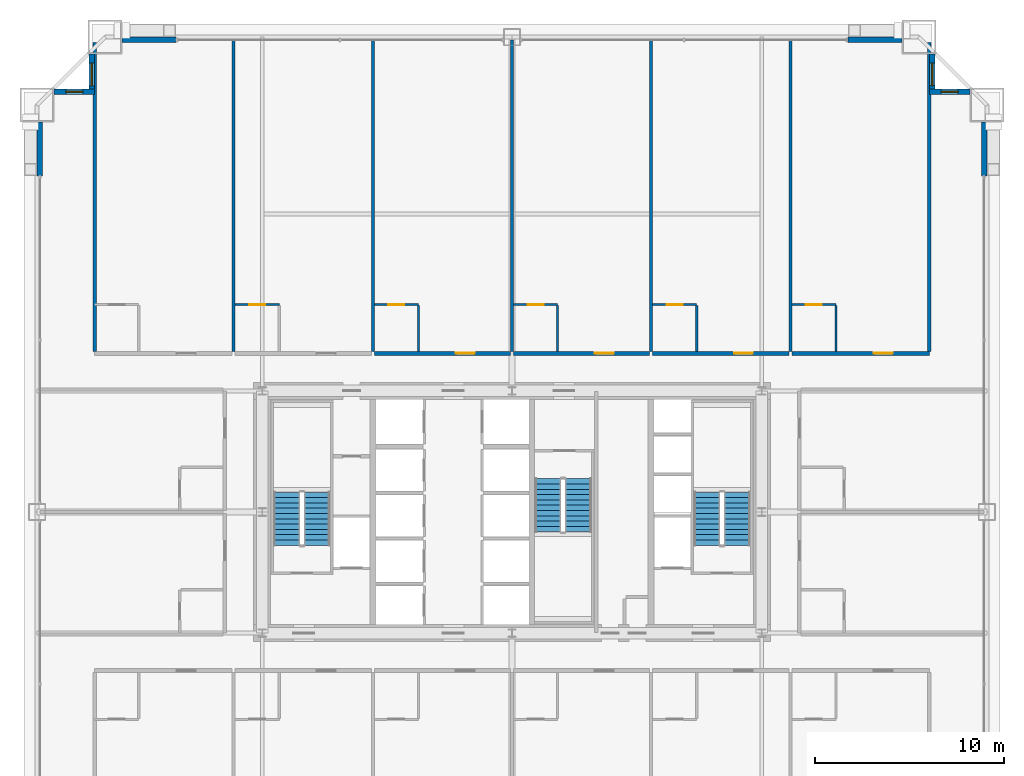
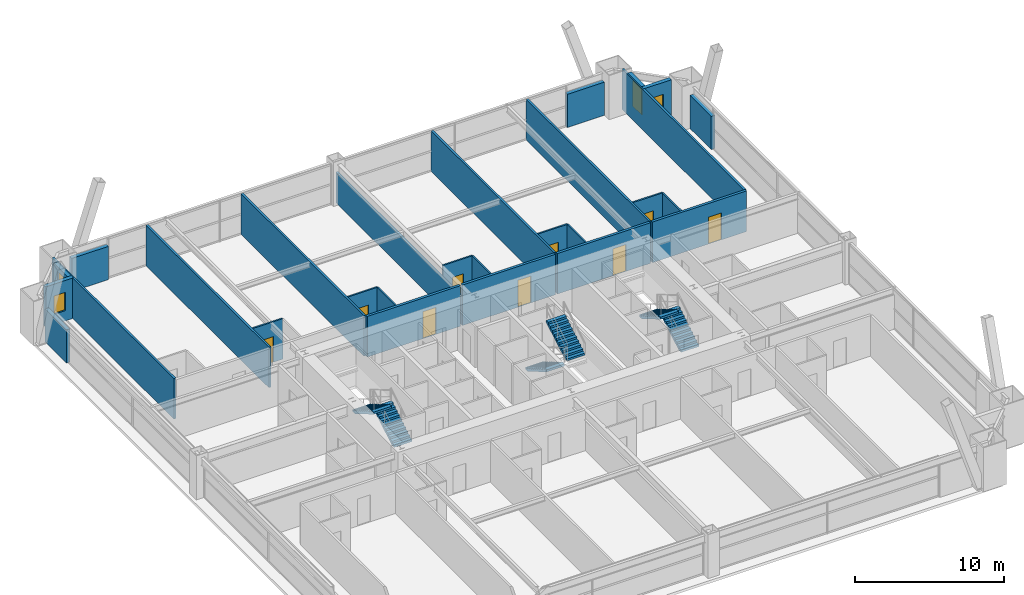
# One storey, part 42 of 43: 28 walls, 9 doors, 6 stair flights, 4 windows, 13 openings, 3 elements without a shape of their own.
"""IFC4 building model written with IfcOpenShell, lengths in metres."""

from ifc_helpers import new_model, si_unit, direction, frame, frame_2d, origin, place, context, subcontext, project, spatial, polyline, rectangle, outline, extrude, source, transform, mapped, material, layer, layer_set, type_object, element, fill, aggregate, save


model = new_model("IFC4")

# Units and contexts
model_context = context("Model", 3, precision=1e-05, world=origin(), true_north=direction((0.0, 1.0)))
body_context = subcontext(model_context, "Body", "Model", "MODEL_VIEW")
ifc_project = project(units=[si_unit("LENGTHUNIT", "METRE"), si_unit("AREAUNIT", "SQUARE_METRE"), si_unit("VOLUMEUNIT", "CUBIC_METRE"), si_unit("PLANEANGLEUNIT", "RADIAN"), si_unit("MASSUNIT", "GRAM", prefix="KILO"), si_unit("THERMODYNAMICTEMPERATUREUNIT", "KELVIN"), si_unit("POWERUNIT", "WATT")], contexts=[model_context])

# Site, building, storey
site_placement = place(None, origin())
site = spatial("IfcSite", under=ifc_project, at=site_placement, CompositionType="ELEMENT")
building_placement = place(site_placement, origin())
building = spatial("IfcBuilding", under=site, at=building_placement, Name="Yuzanri Waterfront Tower", CompositionType="ELEMENT")
storey_placement = place(building_placement, frame((0.0, 0.0, 37.800048828125)))
storey = spatial("IfcBuildingStorey", under=building, at=storey_placement, Name="L09", CompositionType="ELEMENT", Elevation=37.800048828125)

# Wall, opening, door
ifc_material_1 = material(Name="Moisture-Resistant Gypsum Stud Wall", Category="gypsum")
ifc_layer_1 = layer(ifc_material_1, 0.1201171875)
ifc_layer_set_1 = layer_set([ifc_layer_1], Name="Moisture-Resistant Gypsum Stud Wall")
wall_type_1 = type_object("IfcWallType", Name="Bathroom and Kitchen Wet Partition 120", PredefinedType="PARTITIONING", material=ifc_layer_set_1)
wall_1_placement = place(storey_placement, frame((22.373046875, 36.760009765625, 0.0), z_axis=(0.0, 0.0, 1.0), x_axis=(1.0, 0.0, 0.0)))
wall_1 = element("IfcWall", 1, at=wall_1_placement, inside=storey, type_object=wall_type_1, Name="L09 Partition UW-L09-N2-BN", PredefinedType="PARTITIONING", context=body_context, shape_type="SweptSolid", body=[
    extrude(rectangle(XDim=2.329833984375, YDim=0.1201171875, at=frame_2d((1.1650390625, 0.0))), origin(), (0.0, 0.0, 1.0), 3.320068359375),
])
opening_1_placement = place(wall_1_placement, frame((0.739990234375, 0.0, 0.0)))
opening_1 = element("IfcOpeningElement", 2, at=opening_1_placement, cuts=wall_1, Name="Opening ID-0850", PredefinedType="OPENING", context=body_context, shape_type="SweptSolid", body=[
    extrude(rectangle(XDim=0.85009765625, YDim=2.10009765625, at=frame_2d((0.425048828125, 1.050048828125))), frame((0.0, 0.074951171875, 0.0), z_axis=(0.0, -1.0, 0.0), x_axis=(1.0, 0.0, 0.0)), (0.0, 0.0, 1.0), 0.14990234375),
])
ifc_material_2 = material(Name="Moisture-Resistant Lacquered Timber", Category="wood")
door_type_1 = type_object("IfcDoorType", Name="En-Suite Bathroom and Kitchen Swing Door 850x2100", OperationType="NOTDEFINED", PredefinedType="DOOR", material=ifc_material_2)
shared_shape_1 = source(origin(), body_context, "Body", "SweptSolid", [
    extrude(rectangle(XDim=0.85009765625, YDim=2.10009765625, at=frame_2d((0.425048828125, 1.050048828125))), frame((0.0, 0.02490234375, 0.0), z_axis=(0.0, -1.0, 0.0), x_axis=(1.0, 0.0, 0.0)), (0.0, 0.0, 1.0), 0.050048828125),
])
door_1_placement = place(opening_1_placement, origin())
door_1 = element("IfcDoor", 3, at=door_1_placement, inside=storey, type_object=door_type_1, Name="L09 Guest En-Suite Door", OperationType="SINGLE_SWING_LEFT", OverallHeight=2.10009765625, OverallWidth=0.85009765625, PredefinedType="DOOR", context=body_context, shape_type="MappedRepresentation", body=[
    mapped(shared_shape_1, transform((0.0, 0.0, 0.0), scale=1.0)),
])
fill(opening_1, door_1)

wall_2_placement = place(storey_placement, frame((29.72705078125, 36.760009765625, 0.0), z_axis=(0.0, 0.0, 1.0), x_axis=(1.0, 0.0, 0.0)))
wall_2 = element("IfcWall", 4, at=wall_2_placement, inside=storey, type_object=wall_type_1, Name="L09 Partition UW-L09-N3-BN", PredefinedType="PARTITIONING", context=body_context, shape_type="SweptSolid", body=[
    extrude(rectangle(XDim=2.329833984375, YDim=0.1201171875, at=frame_2d((1.1650390625, 0.0))), origin(), (0.0, 0.0, 1.0), 3.320068359375),
])
opening_2_placement = place(wall_2_placement, frame((0.739990234375, 0.0, 0.0)))
opening_2 = element("IfcOpeningElement", 5, at=opening_2_placement, cuts=wall_2, Name="Opening ID-0850", PredefinedType="OPENING", context=body_context, shape_type="SweptSolid", body=[
    extrude(rectangle(XDim=0.85009765625, YDim=2.10009765625, at=frame_2d((0.425048828125, 1.050048828125))), frame((0.0, 0.074951171875, 0.0), z_axis=(0.0, -1.0, 0.0), x_axis=(1.0, 0.0, 0.0)), (0.0, 0.0, 1.0), 0.14990234375),
])
door_2_placement = place(opening_2_placement, origin())
door_2 = element("IfcDoor", 6, at=door_2_placement, inside=storey, type_object=door_type_1, Name="L09 Guest En-Suite Door", OperationType="SINGLE_SWING_LEFT", OverallHeight=2.10009765625, OverallWidth=0.85009765625, PredefinedType="DOOR", context=body_context, shape_type="MappedRepresentation", body=[
    mapped(shared_shape_1, transform((0.0, 0.0, 0.0), scale=1.0)),
])
fill(opening_2, door_2)

wall_3_placement = place(storey_placement, frame((37.080078125, 36.760009765625, 0.0), z_axis=(0.0, 0.0, 1.0), x_axis=(1.0, 0.0, 0.0)))
wall_3 = element("IfcWall", 7, at=wall_3_placement, inside=storey, type_object=wall_type_1, Name="L09 Partition UW-L09-N4-BN", PredefinedType="PARTITIONING", context=body_context, shape_type="SweptSolid", body=[
    extrude(rectangle(XDim=2.329833984375, YDim=0.1201171875, at=frame_2d((1.1650390625, 0.0))), origin(), (0.0, 0.0, 1.0), 3.320068359375),
])
opening_3_placement = place(wall_3_placement, frame((0.739990234375, 0.0, 0.0)))
opening_3 = element("IfcOpeningElement", 8, at=opening_3_placement, cuts=wall_3, Name="Opening ID-0850", PredefinedType="OPENING", context=body_context, shape_type="SweptSolid", body=[
    extrude(rectangle(XDim=0.85009765625, YDim=2.10009765625, at=frame_2d((0.425048828125, 1.050048828125))), frame((0.0, 0.074951171875, 0.0), z_axis=(0.0, -1.0, 0.0), x_axis=(1.0, 0.0, 0.0)), (0.0, 0.0, 1.0), 0.14990234375),
])
door_3_placement = place(opening_3_placement, origin())
door_3 = element("IfcDoor", 9, at=door_3_placement, inside=storey, type_object=door_type_1, Name="L09 Guest En-Suite Door", OperationType="SINGLE_SWING_LEFT", OverallHeight=2.10009765625, OverallWidth=0.85009765625, PredefinedType="DOOR", context=body_context, shape_type="MappedRepresentation", body=[
    mapped(shared_shape_1, transform((0.0, 0.0, 0.0), scale=1.0)),
])
fill(opening_3, door_3)

wall_4_placement = place(storey_placement, frame((44.43310546875, 36.760009765625, 0.0), z_axis=(0.0, 0.0, 1.0), x_axis=(1.0, 0.0, 0.0)))
wall_4 = element("IfcWall", 10, at=wall_4_placement, inside=storey, type_object=wall_type_1, Name="L09 Partition UW-L09-N5-BN", PredefinedType="PARTITIONING", context=body_context, shape_type="SweptSolid", body=[
    extrude(rectangle(XDim=2.329833984375, YDim=0.1201171875, at=frame_2d((1.1650390625, 0.0))), origin(), (0.0, 0.0, 1.0), 3.320068359375),
])
opening_4_placement = place(wall_4_placement, frame((0.739990234375, 0.0, 0.0)))
opening_4 = element("IfcOpeningElement", 11, at=opening_4_placement, cuts=wall_4, Name="Opening ID-0850", PredefinedType="OPENING", context=body_context, shape_type="SweptSolid", body=[
    extrude(rectangle(XDim=0.85009765625, YDim=2.10009765625, at=frame_2d((0.425048828125, 1.050048828125))), frame((0.0, 0.074951171875, 0.0), z_axis=(0.0, -1.0, 0.0), x_axis=(1.0, 0.0, 0.0)), (0.0, 0.0, 1.0), 0.14990234375),
])
door_4_placement = place(opening_4_placement, origin())
door_4 = element("IfcDoor", 12, at=door_4_placement, inside=storey, type_object=door_type_1, Name="L09 Guest En-Suite Door", OperationType="SINGLE_SWING_LEFT", OverallHeight=2.10009765625, OverallWidth=0.85009765625, PredefinedType="DOOR", context=body_context, shape_type="MappedRepresentation", body=[
    mapped(shared_shape_1, transform((0.0, 0.0, 0.0), scale=1.0)),
])
fill(opening_4, door_4)

wall_5_placement = place(storey_placement, frame((51.787109375, 36.760009765625, 0.0), z_axis=(0.0, 0.0, 1.0), x_axis=(1.0, 0.0, 0.0)))
wall_5 = element("IfcWall", 13, at=wall_5_placement, inside=storey, type_object=wall_type_1, Name="L09 Partition UW-L09-N6-BN", PredefinedType="PARTITIONING", context=body_context, shape_type="SweptSolid", body=[
    extrude(rectangle(XDim=2.329833984375, YDim=0.1201171875, at=frame_2d((1.1650390625, 0.0))), origin(), (0.0, 0.0, 1.0), 3.320068359375),
])
opening_5_placement = place(wall_5_placement, frame((0.739990234375, 0.0, 0.0)))
opening_5 = element("IfcOpeningElement", 14, at=opening_5_placement, cuts=wall_5, Name="Opening ID-0850", PredefinedType="OPENING", context=body_context, shape_type="SweptSolid", body=[
    extrude(rectangle(XDim=0.85009765625, YDim=2.10009765625, at=frame_2d((0.425048828125, 1.050048828125))), frame((0.0, 0.074951171875, 0.0), z_axis=(0.0, -1.0, 0.0), x_axis=(1.0, 0.0, 0.0)), (0.0, 0.0, 1.0), 0.14990234375),
])
door_5_placement = place(opening_5_placement, origin())
door_5 = element("IfcDoor", 15, at=door_5_placement, inside=storey, type_object=door_type_1, Name="L09 Guest En-Suite Door", OperationType="SINGLE_SWING_LEFT", OverallHeight=2.10009765625, OverallWidth=0.85009765625, PredefinedType="DOOR", context=body_context, shape_type="MappedRepresentation", body=[
    mapped(shared_shape_1, transform((0.0, 0.0, 0.0), scale=1.0)),
])
fill(opening_5, door_5)

# Wall, opening, window
ifc_material_3 = material(Name="Honed Chongqing Dark Basalt Stone", Category="masonry")
ifc_layer_2 = layer(ifc_material_3, 0.300048828125)
ifc_layer_set_2 = layer_set([ifc_layer_2], Name="Honed Chongqing Dark Basalt Stone")
wall_type_2 = type_object("IfcWallType", Name="Bronze Rainscreen Insulated Spandrel Portal Wall 300", PredefinedType="SOLIDWALL", material=ifc_layer_set_2)
wall_6_placement = place(storey_placement, frame((14.949951171875, 48.0, 0.0), z_axis=(0.0, 0.0, 1.0), x_axis=(-1.0, 0.0, 0.0)))
wall_6 = element("IfcWall", 16, at=wall_6_placement, inside=storey, type_object=wall_type_2, Name="L09 Notched Corner Masonry Wall NW-X", PredefinedType="SOLIDWALL", context=body_context, shape_type="SweptSolid", body=[
    extrude(rectangle(XDim=2.14990234375, YDim=0.300048828125, at=frame_2d((1.074951171875, 0.0))), origin(), (0.0, 0.0, 1.0), 3.320068359375),
])
opening_6_placement = place(wall_6_placement, frame((0.625, 0.0, 0.85009765625)))
opening_6 = element("IfcOpeningElement", 17, at=opening_6_placement, cuts=wall_6, Name="Opening WN-05", PredefinedType="OPENING", context=body_context, shape_type="SweptSolid", body=[
    extrude(rectangle(XDim=0.89990234375, YDim=1.5, at=frame_2d((0.449951171875, 0.75))), frame((0.0, 0.1650390625, 0.0), z_axis=(0.0, -1.0, 0.0), x_axis=(1.0, 0.0, 0.0)), (0.0, 0.0, 1.0), 0.329833984375),
])
ifc_material_4 = material(Name="Double-Silver Low-E Insulated Glass", Category="glass")
window_type_1 = type_object("IfcWindowType", Name="Anodized Bronze Service and Stairwell Smoke-Vent Window 900x1500", PartitioningType="SINGLE_PANEL", PredefinedType="WINDOW", material=ifc_material_4)
shared_shape_2 = source(origin(), body_context, "Body", "SweptSolid", [
    extrude(rectangle(XDim=0.89990234375, YDim=1.5, at=frame_2d((0.449951171875, 0.75))), frame((0.0, 0.030029296875, 0.0), z_axis=(0.0, -1.0, 0.0), x_axis=(1.0, 0.0, 0.0)), (0.0, 0.0, 1.0), 0.06005859375),
])
window_1_placement = place(opening_6_placement, origin())
window_1 = element("IfcWindow", 18, at=window_1_placement, inside=storey, type_object=window_type_1, Name="L09 Notched Corner Window NW-X", OverallHeight=1.5, OverallWidth=0.89990234375, PartitioningType="SINGLE_PANEL", PredefinedType="WINDOW", context=body_context, shape_type="MappedRepresentation", body=[
    mapped(shared_shape_2, transform((0.0, 0.0, 0.0), scale=1.0)),
])
fill(opening_6, window_1)

wall_7_placement = place(storey_placement, frame((14.800048828125, 50.0, 0.0), z_axis=(0.0, 0.0, 1.0), x_axis=(0.0, -1.0, 0.0)))
wall_7 = element("IfcWall", 19, at=wall_7_placement, inside=storey, type_object=wall_type_2, Name="L09 Notched Corner Masonry Wall NW-Y", PredefinedType="SOLIDWALL", context=body_context, shape_type="SweptSolid", body=[
    extrude(rectangle(XDim=2.14990234375, YDim=0.300048828125, at=frame_2d((1.074951171875, 0.0))), origin(), (0.0, 0.0, 1.0), 3.320068359375),
])
opening_7_placement = place(wall_7_placement, frame((0.47509765625, 0.0, 0.85009765625)))
opening_7 = element("IfcOpeningElement", 20, at=opening_7_placement, cuts=wall_7, Name="Opening WN-02", PredefinedType="OPENING", context=body_context, shape_type="SweptSolid", body=[
    extrude(rectangle(XDim=1.199951171875, YDim=2.10009765625, at=frame_2d((0.60009765625, 1.050048828125))), frame((0.0, 0.1650390625, 0.0), z_axis=(0.0, -1.0, 0.0), x_axis=(1.0, 0.0, 0.0)), (0.0, 0.0, 1.0), 0.329833984375),
])
ifc_material_5 = material(Name="Double-Silver Low-E Insulated Glass", Category="glass")
window_type_2 = type_object("IfcWindowType", Name="Anodized Bronze Notched Corner Deep-Set Slot Window 1200x2100", PartitioningType="SINGLE_PANEL", PredefinedType="WINDOW", material=ifc_material_5)
shared_shape_3 = source(origin(), body_context, "Body", "SweptSolid", [
    extrude(rectangle(XDim=1.199951171875, YDim=2.10009765625, at=frame_2d((0.60009765625, 1.050048828125))), frame((0.0, 0.030029296875, 0.0), z_axis=(0.0, -1.0, 0.0), x_axis=(1.0, 0.0, 0.0)), (0.0, 0.0, 1.0), 0.06005859375),
])
window_2_placement = place(opening_7_placement, origin())
window_2 = element("IfcWindow", 21, at=window_2_placement, inside=storey, type_object=window_type_2, Name="L09 Notched Corner Window NW-Y", OverallHeight=2.10009765625, OverallWidth=1.199951171875, PartitioningType="SINGLE_PANEL", PredefinedType="WINDOW", context=body_context, shape_type="MappedRepresentation", body=[
    mapped(shared_shape_3, transform((0.0, 0.0, 0.0), scale=1.0)),
])
fill(opening_7, window_2)

wall_8_placement = place(storey_placement, frame((61.199951171875, 48.0, 0.0), z_axis=(0.0, 0.0, 1.0), x_axis=(-1.0, 0.0, 0.0)))
wall_8 = element("IfcWall", 22, at=wall_8_placement, inside=storey, type_object=wall_type_2, Name="L09 Notched Corner Masonry Wall NE-X", PredefinedType="SOLIDWALL", context=body_context, shape_type="SweptSolid", body=[
    extrude(rectangle(XDim=2.14990234375, YDim=0.300048828125, at=frame_2d((1.074951171875, 0.0))), origin(), (0.0, 0.0, 1.0), 3.320068359375),
])
opening_8_placement = place(wall_8_placement, frame((0.625, 0.0, 0.85009765625)))
opening_8 = element("IfcOpeningElement", 23, at=opening_8_placement, cuts=wall_8, Name="Opening WN-05", PredefinedType="OPENING", context=body_context, shape_type="SweptSolid", body=[
    extrude(rectangle(XDim=0.89990234375, YDim=1.5, at=frame_2d((0.449951171875, 0.75))), frame((0.0, 0.1650390625, 0.0), z_axis=(0.0, -1.0, 0.0), x_axis=(1.0, 0.0, 0.0)), (0.0, 0.0, 1.0), 0.329833984375),
])
window_3_placement = place(opening_8_placement, origin())
window_3 = element("IfcWindow", 24, at=window_3_placement, inside=storey, type_object=window_type_1, Name="L09 Notched Corner Window NE-X", OverallHeight=1.5, OverallWidth=0.89990234375, PartitioningType="SINGLE_PANEL", PredefinedType="WINDOW", context=body_context, shape_type="MappedRepresentation", body=[
    mapped(shared_shape_2, transform((0.0, 0.0, 0.0), scale=1.0)),
])
fill(opening_8, window_3)

wall_9_placement = place(storey_placement, frame((59.199951171875, 47.85009765625, 0.0), z_axis=(0.0, 0.0, 1.0), x_axis=(0.0, 1.0, 0.0)))
wall_9 = element("IfcWall", 25, at=wall_9_placement, inside=storey, type_object=wall_type_2, Name="L09 Notched Corner Masonry Wall NE-Y", PredefinedType="SOLIDWALL", context=body_context, shape_type="SweptSolid", body=[
    extrude(rectangle(XDim=2.14990234375, YDim=0.300048828125, at=frame_2d((1.074951171875, 0.0))), origin(), (0.0, 0.0, 1.0), 3.320068359375),
])
opening_9_placement = place(wall_9_placement, frame((0.47509765625, 0.0, 0.85009765625)))
opening_9 = element("IfcOpeningElement", 26, at=opening_9_placement, cuts=wall_9, Name="Opening WN-02", PredefinedType="OPENING", context=body_context, shape_type="SweptSolid", body=[
    extrude(rectangle(XDim=1.199951171875, YDim=2.10009765625, at=frame_2d((0.60009765625, 1.050048828125))), frame((0.0, 0.1650390625, 0.0), z_axis=(0.0, -1.0, 0.0), x_axis=(1.0, 0.0, 0.0)), (0.0, 0.0, 1.0), 0.329833984375),
])
window_4_placement = place(opening_9_placement, origin())
window_4 = element("IfcWindow", 27, at=window_4_placement, inside=storey, type_object=window_type_2, Name="L09 Notched Corner Window NE-Y", OverallHeight=2.10009765625, OverallWidth=1.199951171875, PartitioningType="SINGLE_PANEL", PredefinedType="WINDOW", context=body_context, shape_type="MappedRepresentation", body=[
    mapped(shared_shape_3, transform((0.0, 0.0, 0.0), scale=1.0)),
])
fill(opening_9, window_4)

# Wall, opening, door
ifc_material_6 = material(Name="Autoclaved Aerated Concrete Blockwork", Category="masonry")
ifc_layer_3 = layer(ifc_material_6, 0.199951171875)
ifc_layer_set_3 = layer_set([ifc_layer_3], Name="Autoclaved Aerated Concrete Blockwork")
wall_type_3 = type_object("IfcWallType", Name="Corridor and Unit Party Fire Wall 200", PredefinedType="PARTITIONING", material=ifc_layer_set_3)
wall_10_placement = place(storey_placement, frame((29.72705078125, 34.179931640625, 0.0), z_axis=(0.0, 0.0, 1.0), x_axis=(1.0, 0.0, 0.0)))
wall_10 = element("IfcWall", 28, at=wall_10_placement, inside=storey, type_object=wall_type_3, Name="L09 Partition UW-L09-N3-CS", PredefinedType="PARTITIONING", context=body_context, shape_type="SweptSolid", body=[
    extrude(rectangle(XDim=7.19287109375, YDim=0.199951171875, at=frame_2d((3.596435546875, 0.0))), origin(), (0.0, 0.0, 1.0), 3.320068359375),
])
opening_10_placement = place(wall_10_placement, frame((4.302001953125, 0.0, 0.0)))
opening_10 = element("IfcOpeningElement", 29, at=opening_10_placement, cuts=wall_10, Name="Opening FD-1000", PredefinedType="OPENING", context=body_context, shape_type="SweptSolid", body=[
    extrude(rectangle(XDim=1.0, YDim=2.199951171875, at=frame_2d((0.5, 1.10009765625))), frame((0.0, 0.11474609375, 0.0), z_axis=(0.0, -1.0, 0.0), x_axis=(1.0, 0.0, 0.0)), (0.0, 0.0, 1.0), 0.229736328125),
])
ifc_material_7 = material(Name="Engineered Oak Fire-Rated Timber", Category="wood")
door_type_2 = type_object("IfcDoorType", Name="Guestroom and Apartment Entrance Fire Door 1000x2200", OperationType="NOTDEFINED", PredefinedType="DOOR", material=ifc_material_7)
shared_shape_4 = source(origin(), body_context, "Body", "SweptSolid", [
    extrude(rectangle(XDim=1.0, YDim=2.199951171875, at=frame_2d((0.5, 1.10009765625))), frame((0.0, 0.02490234375, 0.0), z_axis=(0.0, -1.0, 0.0), x_axis=(1.0, 0.0, 0.0)), (0.0, 0.0, 1.0), 0.050048828125),
])
door_6_placement = place(opening_10_placement, origin())
door_6 = element("IfcDoor", 30, at=door_6_placement, inside=storey, type_object=door_type_2, Name="L09 Deluxe Cityview Junior Suite Entrance Door", OperationType="SINGLE_SWING_RIGHT", OverallHeight=2.199951171875, OverallWidth=1.0, PredefinedType="DOOR", context=body_context, shape_type="MappedRepresentation", body=[
    mapped(shared_shape_4, transform((0.0, 0.0, 0.0), scale=1.0)),
])
fill(opening_10, door_6)

wall_11_placement = place(storey_placement, frame((37.080078125, 34.179931640625, 0.0), z_axis=(0.0, 0.0, 1.0), x_axis=(1.0, 0.0, 0.0)))
wall_11 = element("IfcWall", 31, at=wall_11_placement, inside=storey, type_object=wall_type_3, Name="L09 Partition UW-L09-N4-CS", PredefinedType="PARTITIONING", context=body_context, shape_type="SweptSolid", body=[
    extrude(rectangle(XDim=7.19287109375, YDim=0.199951171875, at=frame_2d((3.596435546875, 0.0))), origin(), (0.0, 0.0, 1.0), 3.320068359375),
])
opening_11_placement = place(wall_11_placement, frame((4.302001953125, 0.0, 0.0)))
opening_11 = element("IfcOpeningElement", 32, at=opening_11_placement, cuts=wall_11, Name="Opening FD-1000", PredefinedType="OPENING", context=body_context, shape_type="SweptSolid", body=[
    extrude(rectangle(XDim=1.0, YDim=2.199951171875, at=frame_2d((0.5, 1.10009765625))), frame((0.0, 0.11474609375, 0.0), z_axis=(0.0, -1.0, 0.0), x_axis=(1.0, 0.0, 0.0)), (0.0, 0.0, 1.0), 0.229736328125),
])
door_7_placement = place(opening_11_placement, origin())
door_7 = element("IfcDoor", 33, at=door_7_placement, inside=storey, type_object=door_type_2, Name="L09 Deluxe Cityview Junior Suite Entrance Door", OperationType="SINGLE_SWING_RIGHT", OverallHeight=2.199951171875, OverallWidth=1.0, PredefinedType="DOOR", context=body_context, shape_type="MappedRepresentation", body=[
    mapped(shared_shape_4, transform((0.0, 0.0, 0.0), scale=1.0)),
])
fill(opening_11, door_7)

wall_12_placement = place(storey_placement, frame((44.43310546875, 34.179931640625, 0.0), z_axis=(0.0, 0.0, 1.0), x_axis=(1.0, 0.0, 0.0)))
wall_12 = element("IfcWall", 34, at=wall_12_placement, inside=storey, type_object=wall_type_3, Name="L09 Partition UW-L09-N5-CS", PredefinedType="PARTITIONING", context=body_context, shape_type="SweptSolid", body=[
    extrude(rectangle(XDim=7.19384765625, YDim=0.199951171875, at=frame_2d((3.596923828125, 0.0))), origin(), (0.0, 0.0, 1.0), 3.320068359375),
])
opening_12_placement = place(wall_12_placement, frame((4.302001953125, 0.0, 0.0)))
opening_12 = element("IfcOpeningElement", 35, at=opening_12_placement, cuts=wall_12, Name="Opening FD-1000", PredefinedType="OPENING", context=body_context, shape_type="SweptSolid", body=[
    extrude(rectangle(XDim=1.0, YDim=2.199951171875, at=frame_2d((0.5, 1.10009765625))), frame((0.0, 0.11474609375, 0.0), z_axis=(0.0, -1.0, 0.0), x_axis=(1.0, 0.0, 0.0)), (0.0, 0.0, 1.0), 0.229736328125),
])
door_8_placement = place(opening_12_placement, origin())
door_8 = element("IfcDoor", 36, at=door_8_placement, inside=storey, type_object=door_type_2, Name="L09 Deluxe Cityview Junior Suite Entrance Door", OperationType="SINGLE_SWING_RIGHT", OverallHeight=2.199951171875, OverallWidth=1.0, PredefinedType="DOOR", context=body_context, shape_type="MappedRepresentation", body=[
    mapped(shared_shape_4, transform((0.0, 0.0, 0.0), scale=1.0)),
])
fill(opening_12, door_8)

wall_13_placement = place(storey_placement, frame((51.787109375, 34.179931640625, 0.0), z_axis=(0.0, 0.0, 1.0), x_axis=(1.0, 0.0, 0.0)))
wall_13 = element("IfcWall", 37, at=wall_13_placement, inside=storey, type_object=wall_type_3, Name="L09 Partition UW-L09-N6-CS", PredefinedType="PARTITIONING", context=body_context, shape_type="SweptSolid", body=[
    extrude(rectangle(XDim=7.27294921875, YDim=0.199951171875, at=frame_2d((3.636474609375, 0.0))), origin(), (0.0, 0.0, 1.0), 3.320068359375),
])
opening_13_placement = place(wall_13_placement, frame((4.342041015625, 0.0, 0.0)))
opening_13 = element("IfcOpeningElement", 38, at=opening_13_placement, cuts=wall_13, Name="Opening FD-1000", PredefinedType="OPENING", context=body_context, shape_type="SweptSolid", body=[
    extrude(rectangle(XDim=1.0, YDim=2.199951171875, at=frame_2d((0.5, 1.10009765625))), frame((0.0, 0.11474609375, 0.0), z_axis=(0.0, -1.0, 0.0), x_axis=(1.0, 0.0, 0.0)), (0.0, 0.0, 1.0), 0.229736328125),
])
door_9_placement = place(opening_13_placement, origin())
door_9 = element("IfcDoor", 39, at=door_9_placement, inside=storey, type_object=door_type_2, Name="L09 Deluxe Cityview Junior Suite Entrance Door", OperationType="SINGLE_SWING_RIGHT", OverallHeight=2.199951171875, OverallWidth=1.0, PredefinedType="DOOR", context=body_context, shape_type="MappedRepresentation", body=[
    mapped(shared_shape_4, transform((0.0, 0.0, 0.0), scale=1.0)),
])
fill(opening_13, door_9)

# Walls
shared_shape_5 = source(origin(), body_context, "Body", "SweptSolid", [
    extrude(rectangle(XDim=2.85009765625, YDim=0.300048828125, at=frame_2d((1.425048828125, 0.0))), origin(), (0.0, 0.0, 1.0), 2.71484375),
])
for number, where, z_axis, x_axis, name in (
    (40, (16.39990234375, 50.75, 0.0), (0.0, 0.0, 1.0), (1.0, 0.0, 0.0), "L09 N Left Braced Masonry Shoulder"),
    (41, (54.75, 50.75, 0.0), (0.0, 0.0, 1.0), (1.0, 0.0, 0.0), "L09 N Right Braced Masonry Shoulder"),
):
    element("IfcWall", number, at=place(storey_placement, frame(where, z_axis=z_axis, x_axis=x_axis)), inside=storey, type_object=wall_type_2, Name=name, PredefinedType="SOLIDWALL", context=body_context, shape_type="MappedRepresentation", body=[
        mapped(shared_shape_5, transform((0.0, 0.0, 0.0), scale=1.0)),
    ])
shared_shape_6 = source(origin(), body_context, "Body", "SweptSolid", [
    extrude(rectangle(XDim=2.849853515625, YDim=0.300048828125, at=frame_2d((1.4248046875, 0.0))), origin(), (0.0, 0.0, 1.0), 2.71484375),
])
for number, where, z_axis, x_axis, name in (
    (42, (12.050048828125, 43.550048828125, 0.0), (0.0, 0.0, 1.0), (0.0, 1.0, 0.0), "L09 W Right Braced Masonry Shoulder"),
    (43, (61.949951171875, 43.550048828125, 0.0), (0.0, 0.0, 1.0), (0.0, 1.0, 0.0), "L09 E Right Braced Masonry Shoulder"),
):
    element("IfcWall", number, at=place(storey_placement, frame(where, z_axis=z_axis, x_axis=x_axis)), inside=storey, type_object=wall_type_2, Name=name, PredefinedType="SOLIDWALL", context=body_context, shape_type="MappedRepresentation", body=[
        mapped(shared_shape_6, transform((0.0, 0.0, 0.0), scale=1.0)),
    ])
ifc_material_8 = material(Name="Gypsum Fireboard Acoustic Stud Wall", Category="gypsum")
ifc_layer_4 = layer(ifc_material_8, 0.159912109375)
ifc_layer_set_4 = layer_set([ifc_layer_4], Name="Gypsum Fireboard Acoustic Stud Wall")
wall_type_4 = type_object("IfcWallType", Name="Acoustic Suite Demising Partition 160", PredefinedType="PARTITIONING", material=ifc_layer_set_4)
shared_shape_7 = source(origin(), body_context, "Body", "SweptSolid", [
    extrude(rectangle(XDim=16.469970703125, YDim=0.159912109375, at=frame_2d((8.23486328125, 0.0))), origin(), (0.0, 0.0, 1.0), 3.320068359375),
])
for number, where, z_axis, x_axis, name in (
    (44, (22.29296875, 34.280029296875, 0.0), (0.0, 0.0, 1.0), (0.0, 1.0, 0.0), "L09-N1 Party Wall"),
    (45, (29.64697265625, 34.280029296875, 0.0), (0.0, 0.0, 1.0), (0.0, 1.0, 0.0), "L09-N2 Party Wall"),
    (46, (44.35302734375, 34.280029296875, 0.0), (0.0, 0.0, 1.0), (0.0, 1.0, 0.0), "L09-N4 Party Wall"),
    (47, (51.70703125, 34.280029296875, 0.0), (0.0, 0.0, 1.0), (0.0, 1.0, 0.0), "L09-N5 Party Wall"),
):
    element("IfcWall", number, at=place(storey_placement, frame(where, z_axis=z_axis, x_axis=x_axis)), inside=storey, type_object=wall_type_4, Name=name, PredefinedType="PARTITIONING", context=body_context, shape_type="MappedRepresentation", body=[
        mapped(shared_shape_7, transform((0.0, 0.0, 0.0), scale=1.0)),
    ])
shared_shape_8 = source(origin(), body_context, "Body", "SweptSolid", [
    extrude(rectangle(XDim=16.469970703125, YDim=0.159912109375, at=frame_2d((8.23486328125, 0.0))), origin(), (0.0, 0.0, 1.0), 2.514892578125),
])
wall_14_placement = place(storey_placement, frame((37.0, 34.280029296875, 0.0), z_axis=(0.0, 0.0, 1.0), x_axis=(0.0, 1.0, 0.0)))
element("IfcWall", 48, at=wall_14_placement, inside=storey, type_object=wall_type_4, Name="L09-N3 Party Wall", PredefinedType="PARTITIONING", context=body_context, shape_type="MappedRepresentation", body=[
    mapped(shared_shape_8, transform((0.0, 0.0, 0.0), scale=1.0)),
])
shared_shape_9 = source(origin(), body_context, "Body", "SweptSolid", [
    extrude(rectangle(XDim=16.320068359375, YDim=0.159912109375, at=frame_2d((8.16015625, 0.0))), origin(), (0.0, 0.0, 1.0), 3.320068359375),
])
for number, where, z_axis, x_axis, name in (
    (49, (14.949951171875, 34.280029296875, 0.0), (0.0, 0.0, 1.0), (0.0, 1.0, 0.0), "L09 North Band West End Wall"),
    (50, (59.050048828125, 34.280029296875, 0.0), (0.0, 0.0, 1.0), (0.0, 1.0, 0.0), "L09 North Band East End Wall"),
):
    element("IfcWall", number, at=place(storey_placement, frame(where, z_axis=z_axis, x_axis=x_axis)), inside=storey, type_object=wall_type_4, Name=name, PredefinedType="PARTITIONING", context=body_context, shape_type="MappedRepresentation", body=[
        mapped(shared_shape_9, transform((0.0, 0.0, 0.0), scale=1.0)),
    ])
shared_shape_10 = source(origin(), body_context, "Body", "SweptSolid", [
    extrude(rectangle(XDim=2.419921875, YDim=0.1201171875, at=frame_2d((1.2099609375, 0.0))), origin(), (0.0, 0.0, 1.0), 3.320068359375),
])
for number, where, z_axis, x_axis, name in (
    (51, (32.056884765625, 34.280029296875, 0.0), (0.0, 0.0, 1.0), (0.0, 1.0, 0.0), "L09-N3 En-Suite Side Wall"),
    (52, (39.409912109375, 34.280029296875, 0.0), (0.0, 0.0, 1.0), (0.0, 1.0, 0.0), "L09-N4 En-Suite Side Wall"),
    (53, (46.762939453125, 34.280029296875, 0.0), (0.0, 0.0, 1.0), (0.0, 1.0, 0.0), "L09-N5 En-Suite Side Wall"),
    (54, (54.116943359375, 34.280029296875, 0.0), (0.0, 0.0, 1.0), (0.0, 1.0, 0.0), "L09-N6 En-Suite Side Wall"),
):
    element("IfcWall", number, at=place(storey_placement, frame(where, z_axis=z_axis, x_axis=x_axis)), inside=storey, type_object=wall_type_1, Name=name, PredefinedType="PARTITIONING", context=body_context, shape_type="MappedRepresentation", body=[
        mapped(shared_shape_10, transform((0.0, 0.0, 0.0), scale=1.0)),
    ])

# Stair, stair flights
ifc_material_9 = material(Name="Concrete C40", Category="concrete")
stair_type = type_object("IfcStairType", Name="Concrete C40 Core Dogleg Exit Stair", PredefinedType="HALF_TURN_STAIR", material=ifc_material_9)
stair_1_placement = place(storey_placement, origin())
stair_1 = element("IfcStair", 55, at=stair_1_placement, inside=storey, type_object=stair_type, Name="L09 Smoke-Proof Core Stair ST-01", PredefinedType="HALF_TURN_STAIR")
ifc_material_10 = material(Name="Concrete C40", Category="concrete")
stair_flight_type = type_object("IfcStairFlightType", Name="Concrete C40 Precast Stair Flight 1380", PredefinedType="STRAIGHT", material=ifc_material_10)
shared_shape_11 = source(origin(), body_context, "Body", "SweptSolid", [
    extrude(outline(polyline([(0.0, 0.0), (0.0, 0.16357421875), (0.280029296875, 0.16357421875), (0.280029296875, 0.327392578125), (0.56005859375, 0.327392578125), (0.56005859375, 0.490966796875), (0.840087890625, 0.490966796875), (0.840087890625, 0.654541015625), (1.1201171875, 0.654541015625), (1.1201171875, 0.818115234375), (1.39990234375, 0.818115234375), (1.39990234375, 0.98193359375), (1.679931640625, 0.98193359375), (1.679931640625, 1.1455078125), (1.9599609375, 1.1455078125), (1.9599609375, 1.30908203125), (2.239990234375, 1.30908203125), (2.239990234375, 1.47265625), (2.52001953125, 1.47265625), (2.52001953125, 1.636474609375), (2.800048828125, 1.636474609375), (2.800048828125, 1.800048828125), (2.800048828125, 1.462646484375), (0.297119140625, 0.0), (0.0, 0.0)])), frame((0.0, 0.699951171875, 0.0), z_axis=(0.0, -1.0, 0.0), x_axis=(1.0, 0.0, 0.0)), (0.0, 0.0, 1.0), 1.39990234375),
])
stair_flight_1_placement = place(storey_placement, frame((26.699951171875, 24.0400390625, 0.0), z_axis=(0.0, 0.0, 1.0), x_axis=(0.0, 1.0, 0.0)))
stair_flight_1 = element("IfcStairFlight", 56, at=stair_flight_1_placement, type_object=stair_flight_type, Name="ST-01 flight 1", NumberOfRisers=11, NumberOfTreads=10, PredefinedType="STRAIGHT", RiserHeight=0.163636364, TreadLength=0.28, context=body_context, shape_type="MappedRepresentation", body=[
    mapped(shared_shape_11, transform((0.0, 0.0, 0.0), scale=1.0)),
])
stair_flight_2_placement = place(storey_placement, frame((25.10009765625, 26.840087890625, 1.800048828125), z_axis=(0.0, 0.0, 1.0), x_axis=(0.0, -1.0, 0.0)))
stair_flight_2 = element("IfcStairFlight", 57, at=stair_flight_2_placement, type_object=stair_flight_type, Name="ST-01 flight 2", NumberOfRisers=11, NumberOfTreads=10, PredefinedType="STRAIGHT", RiserHeight=0.163636364, TreadLength=0.28, context=body_context, shape_type="MappedRepresentation", body=[
    mapped(shared_shape_11, transform((0.0, 0.0, 0.0), scale=1.0)),
])
aggregate(stair_1, [stair_flight_1, stair_flight_2])

stair_2_placement = place(storey_placement, origin())
stair_2 = element("IfcStair", 58, at=stair_2_placement, inside=storey, type_object=stair_type, Name="L09 Smoke-Proof Core Stair ST-02", PredefinedType="HALF_TURN_STAIR")
stair_flight_3_placement = place(storey_placement, frame((48.89990234375, 24.0400390625, 0.0), z_axis=(0.0, 0.0, 1.0), x_axis=(0.0, 1.0, 0.0)))
stair_flight_3 = element("IfcStairFlight", 59, at=stair_flight_3_placement, type_object=stair_flight_type, Name="ST-02 flight 1", NumberOfRisers=11, NumberOfTreads=10, PredefinedType="STRAIGHT", RiserHeight=0.163636364, TreadLength=0.28, context=body_context, shape_type="MappedRepresentation", body=[
    mapped(shared_shape_11, transform((0.0, 0.0, 0.0), scale=1.0)),
])
stair_flight_4_placement = place(storey_placement, frame((47.300048828125, 26.840087890625, 1.800048828125), z_axis=(0.0, 0.0, 1.0), x_axis=(0.0, -1.0, 0.0)))
stair_flight_4 = element("IfcStairFlight", 60, at=stair_flight_4_placement, type_object=stair_flight_type, Name="ST-02 flight 2", NumberOfRisers=11, NumberOfTreads=10, PredefinedType="STRAIGHT", RiserHeight=0.163636364, TreadLength=0.28, context=body_context, shape_type="MappedRepresentation", body=[
    mapped(shared_shape_11, transform((0.0, 0.0, 0.0), scale=1.0)),
])
aggregate(stair_2, [stair_flight_3, stair_flight_4])

stair_3_placement = place(storey_placement, origin())
stair_3 = element("IfcStair", 61, at=stair_3_placement, inside=storey, type_object=stair_type, Name="L09 Smoke-Proof Core Stair ST-03", PredefinedType="HALF_TURN_STAIR")
stair_flight_5_placement = place(storey_placement, frame((38.89990234375, 27.56005859375, 0.0), z_axis=(0.0, 0.0, 1.0), x_axis=(0.0, -1.0, 0.0)))
stair_flight_5 = element("IfcStairFlight", 62, at=stair_flight_5_placement, type_object=stair_flight_type, Name="ST-03 flight 1", NumberOfRisers=11, NumberOfTreads=10, PredefinedType="STRAIGHT", RiserHeight=0.163636364, TreadLength=0.28, context=body_context, shape_type="MappedRepresentation", body=[
    mapped(shared_shape_11, transform((0.0, 0.0, 0.0), scale=1.0)),
])
stair_flight_6_placement = place(storey_placement, frame((40.5, 24.760009765625, 1.800048828125), z_axis=(0.0, 0.0, 1.0), x_axis=(0.0, 1.0, 0.0)))
stair_flight_6 = element("IfcStairFlight", 63, at=stair_flight_6_placement, type_object=stair_flight_type, Name="ST-03 flight 2", NumberOfRisers=11, NumberOfTreads=10, PredefinedType="STRAIGHT", RiserHeight=0.163636364, TreadLength=0.28, context=body_context, shape_type="MappedRepresentation", body=[
    mapped(shared_shape_11, transform((0.0, 0.0, 0.0), scale=1.0)),
])
aggregate(stair_3, [stair_flight_5, stair_flight_6])

save(model, "model.ifc")
